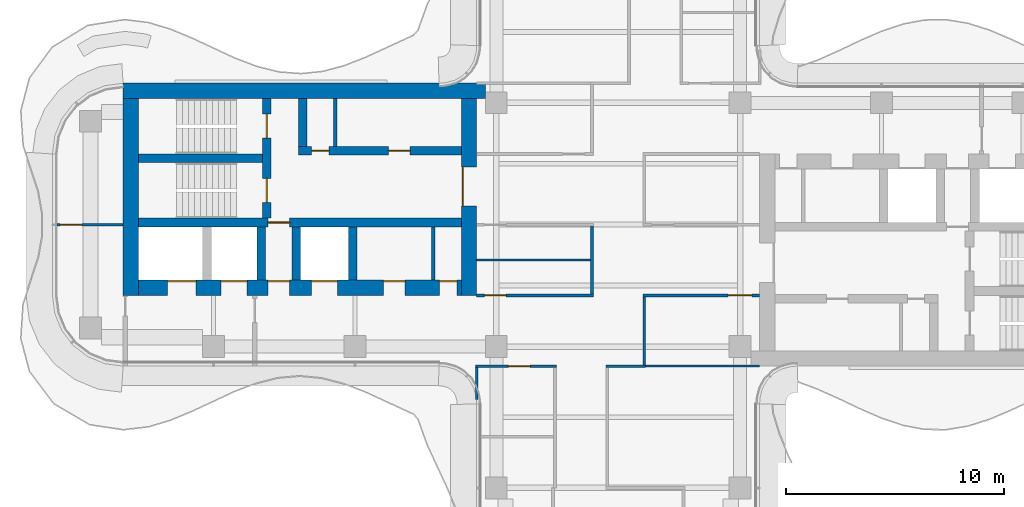
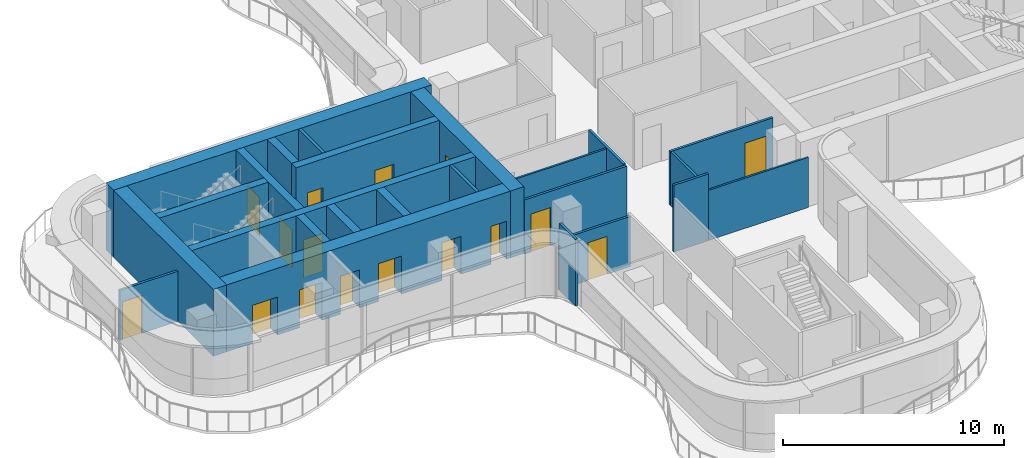
# One storey, part 11 of 15: 24 walls, 16 doors, 16 openings.
"""IFC4 building model written with IfcOpenShell, lengths in metres."""

from ifc_helpers import new_model, si_unit, direction, frame, frame_2d, origin, place, context, subcontext, project, spatial, rectangle, extrude, source, transform, mapped, material, layer, layer_set, type_object, element, fill, save


model = new_model("IFC4")

# Units and contexts
model_context = context("Model", 3, precision=1e-05, world=origin(), true_north=direction((0.0, 1.0)))
body_context = subcontext(model_context, "Body", "Model", "MODEL_VIEW")
ifc_project = project(units=[si_unit("LENGTHUNIT", "METRE"), si_unit("AREAUNIT", "SQUARE_METRE"), si_unit("VOLUMEUNIT", "CUBIC_METRE"), si_unit("PLANEANGLEUNIT", "RADIAN"), si_unit("MASSUNIT", "GRAM", prefix="KILO")], contexts=[model_context])

# Site, building, storey
site_placement = place(None, origin())
site = spatial("IfcSite", under=ifc_project, at=site_placement, CompositionType="ELEMENT")
building_placement = place(site_placement, origin())
building = spatial("IfcBuilding", under=site, at=building_placement, Name="Trellis Farm Tower", CompositionType="ELEMENT")
storey_placement = place(building_placement, frame((0.0, 0.0, 287.199951171875)))
storey = spatial("IfcBuildingStorey", under=building, at=storey_placement, Name="L64", CompositionType="ELEMENT", Elevation=287.199951171875)

# Wall, opening, door
ifc_material_1 = material(Name="Concrete C50/60", Category="concrete")
ifc_layer_1 = layer(ifc_material_1, 0.699951171875)
ifc_layer_set_1 = layer_set([ifc_layer_1], Name="CORE OUTER WALL 700 CONCRETE C50/60")
wall_type_1 = type_object("IfcWallType", Name="CORE OUTER WALL 700 CONCRETE C50/60", PredefinedType="SHEAR", material=ifc_layer_set_1)
shared_shape_1 = source(origin(), body_context, "Body", "SweptSolid", [
    extrude(rectangle(XDim=9.050048828125, YDim=0.699951171875, at=frame_2d((4.52490234375, 0.0))), origin(), (0.0, 0.0, 1.0), 3.699951171875),
])
wall_1_placement = place(storey_placement, frame((-6.85009765625, 5.800048828125, 0.0), z_axis=(0.0, 0.0, 1.0), x_axis=(0.0, -1.0, 0.0)))
wall_1 = element("IfcWall", 1, at=wall_1_placement, inside=storey, type_object=wall_type_1, Name="Core wall", PredefinedType="SHEAR", context=body_context, shape_type="MappedRepresentation", body=[
    mapped(shared_shape_1, transform((0.0, 0.0, 0.0))),
])
shared_shape_2 = source(origin(), body_context, "Body", "SweptSolid", [
    extrude(rectangle(XDim=1.800048828125, YDim=2.10009765625, at=frame_2d((0.89990234375, 1.050048828125))), frame((0.0, 0.360107421875, 0.0), z_axis=(0.0, -1.0, 0.0), x_axis=(1.0, 0.0, 0.0)), (0.0, 0.0, 1.0), 0.72021484375),
])
opening_1_placement = place(wall_1_placement, frame((3.14990234375, 0.0, 0.0)))
opening_1 = element("IfcOpeningElement", 2, at=opening_1_placement, cuts=wall_1, Name="Opening DC87", PredefinedType="OPENING", context=body_context, shape_type="MappedRepresentation", body=[
    mapped(shared_shape_2, transform((0.0, 0.0, 0.0))),
])
ifc_material_2 = material(Name="Steel", Category="steel")
door_type_1 = type_object("IfcDoorType", Name="CORE FIRE DOOR DOUBLE 1800 X 2100", OperationType="DOUBLE_DOOR_SINGLE_SWING", PredefinedType="DOOR", material=ifc_material_2)
shared_shape_3 = source(origin(), body_context, "Body", "SweptSolid", [
    extrude(rectangle(XDim=1.800048828125, YDim=2.10009765625, at=frame_2d((0.89990234375, 1.050048828125))), frame((0.0, -0.27490234375, 0.0), z_axis=(0.0, -1.0, 0.0), x_axis=(1.0, 0.0, 0.0)), (0.0, 0.0, 1.0), 0.050048828125),
])
door_1_placement = place(opening_1_placement, origin())
door_1 = element("IfcDoor", 3, at=door_1_placement, inside=storey, type_object=door_type_1, Name="Core door", OperationType="DOUBLE_DOOR_SINGLE_SWING", OverallHeight=2.10009765625, OverallWidth=1.800048828125, PredefinedType="DOOR", context=body_context, shape_type="MappedRepresentation", body=[
    mapped(shared_shape_3, transform((0.0, 0.0, 0.0))),
])
fill(opening_1, door_1)

# Walls
wall_2_placement = place(storey_placement, frame((-22.39990234375, 5.800048828125, 0.0), z_axis=(0.0, 0.0, 1.0), x_axis=(0.0, -1.0, 0.0)))
element("IfcWall", 4, at=wall_2_placement, inside=storey, type_object=wall_type_1, Name="Core wall", PredefinedType="SHEAR", context=body_context, shape_type="MappedRepresentation", body=[
    mapped(shared_shape_1, transform((0.0, 0.0, 0.0))),
])
ifc_layer_2 = layer(ifc_material_1, 0.39990234375)
ifc_layer_set_2 = layer_set([ifc_layer_2], Name="CORE INNER WALL 400 CONCRETE C50/60")
wall_type_2 = type_object("IfcWallType", Name="CORE INNER WALL 400 CONCRETE C50/60", PredefinedType="SHEAR", material=ifc_layer_set_2)
shared_shape_4 = source(origin(), body_context, "Body", "SweptSolid", [
    extrude(rectangle(XDim=2.449951171875, YDim=0.39990234375, at=frame_2d((1.22509765625, 0.0))), origin(), (0.0, 0.0, 1.0), 3.699951171875),
])
for number, where, z_axis, x_axis, name in (
    (5, (-12.199951171875, -0.10009765625, 0.0), (0.0, 0.0, 1.0), (0.0, -1.0, 0.0), "Core wall"),
    (6, (-14.800048828125, -0.10009765625, 0.0), (0.0, 0.0, 1.0), (0.0, -1.0, 0.0), "Core wall"),
    (7, (-16.39990234375, -0.10009765625, 0.0), (0.0, 0.0, 1.0), (0.0, -1.0, 0.0), "Core wall"),
):
    element("IfcWall", number, at=place(storey_placement, frame(where, z_axis=z_axis, x_axis=x_axis)), inside=storey, type_object=wall_type_2, Name=name, PredefinedType="SHEAR", context=body_context, shape_type="MappedRepresentation", body=[
        mapped(shared_shape_4, transform((0.0, 0.0, 0.0))),
    ])

# Wall, openings, doors
shared_shape_5 = source(origin(), body_context, "Body", "SweptSolid", [
    extrude(rectangle(XDim=14.85009765625, YDim=0.699951171875, at=frame_2d((7.425048828125, 0.0))), origin(), (0.0, 0.0, 1.0), 3.699951171875),
])
wall_3_placement = place(storey_placement, frame((-7.199951171875, -2.89990234375, 0.0), z_axis=(0.0, 0.0, 1.0), x_axis=(-1.0, 0.0, 0.0)))
wall_3 = element("IfcWall", 8, at=wall_3_placement, inside=storey, type_object=wall_type_1, Name="Core wall", PredefinedType="SHEAR", context=body_context, shape_type="MappedRepresentation", body=[
    mapped(shared_shape_5, transform((0.0, 0.0, 0.0))),
])
shared_shape_6 = source(origin(), body_context, "Body", "SweptSolid", [
    extrude(rectangle(XDim=1.199951171875, YDim=2.10009765625, at=frame_2d((0.60009765625, 1.050048828125))), frame((0.0, 0.360107421875, 0.0), z_axis=(0.0, -1.0, 0.0), x_axis=(1.0, 0.0, 0.0)), (0.0, 0.0, 1.0), 0.72021484375),
])
opening_2_placement = place(wall_3_placement, frame((5.699951171875, 0.0, 0.0)))
opening_2 = element("IfcOpeningElement", 9, at=opening_2_placement, cuts=wall_3, Name="Opening LD14", PredefinedType="OPENING", context=body_context, shape_type="MappedRepresentation", body=[
    mapped(shared_shape_6, transform((0.0, 0.0, 0.0))),
])
shared_shape_7 = source(origin(), body_context, "Body", "SweptSolid", [
    extrude(rectangle(XDim=1.300048828125, YDim=2.10009765625, at=frame_2d((0.64990234375, 1.050048828125))), frame((0.0, 0.360107421875, 0.0), z_axis=(0.0, -1.0, 0.0), x_axis=(1.0, 0.0, 0.0)), (0.0, 0.0, 1.0), 0.72021484375),
])
opening_3_placement = place(wall_3_placement, frame((12.199951171875, 0.0, 0.0)))
opening_3 = element("IfcOpeningElement", 10, at=opening_3_placement, cuts=wall_3, Name="Opening LD15", PredefinedType="OPENING", context=body_context, shape_type="MappedRepresentation", body=[
    mapped(shared_shape_7, transform((0.0, 0.0, 0.0))),
])
opening_4_placement = place(wall_3_placement, frame((9.85009765625, 0.0, 0.0)))
opening_4 = element("IfcOpeningElement", 11, at=opening_4_placement, cuts=wall_3, Name="Opening LD16", PredefinedType="OPENING", context=body_context, shape_type="MappedRepresentation", body=[
    mapped(shared_shape_6, transform((0.0, 0.0, 0.0))),
])
shared_shape_8 = source(origin(), body_context, "Body", "SweptSolid", [
    extrude(rectangle(XDim=1.0, YDim=2.10009765625, at=frame_2d((0.5, 1.050048828125))), frame((0.0, 0.360107421875, 0.0), z_axis=(0.0, -1.0, 0.0), x_axis=(1.0, 0.0, 0.0)), (0.0, 0.0, 1.0), 0.72021484375),
])
opening_5_placement = place(wall_3_placement, frame((7.89990234375, 0.0, 0.0)))
opening_5 = element("IfcOpeningElement", 12, at=opening_5_placement, cuts=wall_3, Name="Opening DC92", PredefinedType="OPENING", context=body_context, shape_type="MappedRepresentation", body=[
    mapped(shared_shape_8, transform((0.0, 0.0, 0.0))),
])
shared_shape_9 = source(origin(), body_context, "Body", "SweptSolid", [
    extrude(rectangle(XDim=0.800048828125, YDim=2.10009765625, at=frame_2d((0.39990234375, 1.050048828125))), frame((0.0, 0.360107421875, 0.0), z_axis=(0.0, -1.0, 0.0), x_axis=(1.0, 0.0, 0.0)), (0.0, 0.0, 1.0), 0.72021484375),
])
opening_6_placement = place(wall_3_placement, frame((0.21240234375, 0.0, 0.0)))
opening_6 = element("IfcOpeningElement", 13, at=opening_6_placement, cuts=wall_3, Name="Opening DC95", PredefinedType="OPENING", context=body_context, shape_type="MappedRepresentation", body=[
    mapped(shared_shape_9, transform((0.0, 0.0, 0.0))),
])
opening_7_placement = place(wall_3_placement, frame((2.58740234375, 0.0, 0.0)))
opening_7 = element("IfcOpeningElement", 14, at=opening_7_placement, cuts=wall_3, Name="Opening DC106", PredefinedType="OPENING", context=body_context, shape_type="MappedRepresentation", body=[
    mapped(shared_shape_8, transform((0.0, 0.0, 0.0))),
])
door_type_2 = type_object("IfcDoorType", Name="CORE FIRE DOOR 1000 X 2100", OperationType="NOTDEFINED", PredefinedType="DOOR", material=ifc_material_2)
shared_shape_10 = source(origin(), body_context, "Body", "SweptSolid", [
    extrude(rectangle(XDim=1.0, YDim=2.10009765625, at=frame_2d((0.5, 1.050048828125))), frame((0.0, -0.27490234375, 0.0), z_axis=(0.0, -1.0, 0.0), x_axis=(1.0, 0.0, 0.0)), (0.0, 0.0, 1.0), 0.050048828125),
])
door_2_placement = place(opening_5_placement, origin())
door_2 = element("IfcDoor", 15, at=door_2_placement, inside=storey, type_object=door_type_2, Name="Core door", OperationType="SINGLE_SWING_LEFT", OverallHeight=2.10009765625, OverallWidth=1.0, PredefinedType="DOOR", context=body_context, shape_type="MappedRepresentation", body=[
    mapped(shared_shape_10, transform((0.0, 0.0, 0.0))),
])
fill(opening_5, door_2)
door_3_placement = place(opening_7_placement, origin())
door_3 = element("IfcDoor", 16, at=door_3_placement, inside=storey, type_object=door_type_2, Name="Core door", OperationType="SINGLE_SWING_RIGHT", OverallHeight=2.10009765625, OverallWidth=1.0, PredefinedType="DOOR", context=body_context, shape_type="MappedRepresentation", body=[
    mapped(shared_shape_10, transform((0.0, 0.0, 0.0))),
])
fill(opening_7, door_3)
ifc_material_3 = material(Name="Stainless steel", Category="steel")
door_type_3 = type_object("IfcDoorType", Name="LIFT LANDING DOOR 1300 X 2100", OperationType="DOUBLE_DOOR_SLIDING", PredefinedType="DOOR", material=ifc_material_3)
shared_shape_11 = source(origin(), body_context, "Body", "SweptSolid", [
    extrude(rectangle(XDim=1.300048828125, YDim=2.10009765625, at=frame_2d((0.64990234375, 1.050048828125))), frame((0.0, -0.27490234375, 0.0), z_axis=(0.0, -1.0, 0.0), x_axis=(1.0, 0.0, 0.0)), (0.0, 0.0, 1.0), 0.050048828125),
])
door_4_placement = place(opening_3_placement, origin())
door_4 = element("IfcDoor", 17, at=door_4_placement, inside=storey, type_object=door_type_3, Name="Lift landing door", OperationType="DOUBLE_DOOR_SLIDING", OverallHeight=2.10009765625, OverallWidth=1.300048828125, PredefinedType="DOOR", context=body_context, shape_type="MappedRepresentation", body=[
    mapped(shared_shape_11, transform((0.0, 0.0, 0.0))),
])
fill(opening_3, door_4)
door_type_4 = type_object("IfcDoorType", Name="LIFT LANDING DOOR 1200 X 2100", OperationType="DOUBLE_DOOR_SLIDING", PredefinedType="DOOR", material=ifc_material_3)
shared_shape_12 = source(origin(), body_context, "Body", "SweptSolid", [
    extrude(rectangle(XDim=1.199951171875, YDim=2.10009765625, at=frame_2d((0.60009765625, 1.050048828125))), frame((0.0, -0.27490234375, 0.0), z_axis=(0.0, -1.0, 0.0), x_axis=(1.0, 0.0, 0.0)), (0.0, 0.0, 1.0), 0.050048828125),
])
door_5_placement = place(opening_2_placement, origin())
door_5 = element("IfcDoor", 18, at=door_5_placement, inside=storey, type_object=door_type_4, Name="Lift landing door", OperationType="DOUBLE_DOOR_SLIDING", OverallHeight=2.10009765625, OverallWidth=1.199951171875, PredefinedType="DOOR", context=body_context, shape_type="MappedRepresentation", body=[
    mapped(shared_shape_12, transform((0.0, 0.0, 0.0))),
])
fill(opening_2, door_5)
door_6_placement = place(opening_4_placement, origin())
door_6 = element("IfcDoor", 19, at=door_6_placement, inside=storey, type_object=door_type_4, Name="Lift landing door", OperationType="DOUBLE_DOOR_SLIDING", OverallHeight=2.10009765625, OverallWidth=1.199951171875, PredefinedType="DOOR", context=body_context, shape_type="MappedRepresentation", body=[
    mapped(shared_shape_12, transform((0.0, 0.0, 0.0))),
])
fill(opening_4, door_6)
door_type_5 = type_object("IfcDoorType", Name="CORE FIRE DOOR 800 X 2100", OperationType="NOTDEFINED", PredefinedType="DOOR", material=ifc_material_2)
shared_shape_13 = source(origin(), body_context, "Body", "SweptSolid", [
    extrude(rectangle(XDim=0.800048828125, YDim=2.10009765625, at=frame_2d((0.39990234375, 1.050048828125))), frame((0.0, -0.27490234375, 0.0), z_axis=(0.0, -1.0, 0.0), x_axis=(1.0, 0.0, 0.0)), (0.0, 0.0, 1.0), 0.050048828125),
])
door_7_placement = place(opening_6_placement, origin())
door_7 = element("IfcDoor", 20, at=door_7_placement, inside=storey, type_object=door_type_5, Name="Core door", OperationType="SINGLE_SWING_LEFT", OverallHeight=2.10009765625, OverallWidth=0.800048828125, PredefinedType="DOOR", context=body_context, shape_type="MappedRepresentation", body=[
    mapped(shared_shape_13, transform((0.0, 0.0, 0.0))),
])
fill(opening_6, door_7)

shared_shape_14 = source(origin(), body_context, "Body", "SweptSolid", [
    extrude(rectangle(XDim=7.5, YDim=0.39990234375, at=frame_2d((3.75, 0.0))), origin(), (0.0, 0.0, 1.0), 3.699951171875),
])
wall_4_placement = place(storey_placement, frame((-7.199951171875, 3.39990234375, 0.0), z_axis=(0.0, 0.0, 1.0), x_axis=(-1.0, 0.0, 0.0)))
wall_4 = element("IfcWall", 21, at=wall_4_placement, inside=storey, type_object=wall_type_2, Name="Core wall", PredefinedType="SHEAR", context=body_context, shape_type="MappedRepresentation", body=[
    mapped(shared_shape_14, transform((0.0, 0.0, 0.0))),
])
shared_shape_15 = source(origin(), body_context, "Body", "SweptSolid", [
    extrude(rectangle(XDim=1.0, YDim=2.10009765625, at=frame_2d((0.5, 1.050048828125))), frame((0.0, 0.2099609375, 0.0), z_axis=(0.0, -1.0, 0.0), x_axis=(1.0, 0.0, 0.0)), (0.0, 0.0, 1.0), 0.419921875),
])
opening_8_placement = place(wall_4_placement, frame((2.362548828125, 0.0, 0.0)))
opening_8 = element("IfcOpeningElement", 22, at=opening_8_placement, cuts=wall_4, Name="Opening DC141", PredefinedType="OPENING", context=body_context, shape_type="MappedRepresentation", body=[
    mapped(shared_shape_15, transform((0.0, 0.0, 0.0))),
])
shared_shape_16 = source(origin(), body_context, "Body", "SweptSolid", [
    extrude(rectangle(XDim=0.800048828125, YDim=2.10009765625, at=frame_2d((0.39990234375, 1.050048828125))), frame((0.0, 0.2099609375, 0.0), z_axis=(0.0, -1.0, 0.0), x_axis=(1.0, 0.0, 0.0)), (0.0, 0.0, 1.0), 0.419921875),
])
opening_9_placement = place(wall_4_placement, frame((6.08740234375, 0.0, 0.0)))
opening_9 = element("IfcOpeningElement", 23, at=opening_9_placement, cuts=wall_4, Name="Opening DC144", PredefinedType="OPENING", context=body_context, shape_type="MappedRepresentation", body=[
    mapped(shared_shape_16, transform((0.0, 0.0, 0.0))),
])
shared_shape_17 = source(origin(), body_context, "Body", "SweptSolid", [
    extrude(rectangle(XDim=1.0, YDim=2.10009765625, at=frame_2d((0.5, 1.050048828125))), frame((0.0, 0.02490234375, 0.0), z_axis=(0.0, -1.0, 0.0), x_axis=(1.0, 0.0, 0.0)), (0.0, 0.0, 1.0), 0.050048828125),
])
door_8_placement = place(opening_8_placement, origin())
door_8 = element("IfcDoor", 24, at=door_8_placement, inside=storey, type_object=door_type_2, Name="Core door", OperationType="SINGLE_SWING_LEFT", OverallHeight=2.10009765625, OverallWidth=1.0, PredefinedType="DOOR", context=body_context, shape_type="MappedRepresentation", body=[
    mapped(shared_shape_17, transform((0.0, 0.0, 0.0))),
])
fill(opening_8, door_8)
shared_shape_18 = source(origin(), body_context, "Body", "SweptSolid", [
    extrude(rectangle(XDim=0.800048828125, YDim=2.10009765625, at=frame_2d((0.39990234375, 1.050048828125))), frame((0.0, 0.02490234375, 0.0), z_axis=(0.0, -1.0, 0.0), x_axis=(1.0, 0.0, 0.0)), (0.0, 0.0, 1.0), 0.050048828125),
])
door_9_placement = place(opening_9_placement, origin())
door_9 = element("IfcDoor", 25, at=door_9_placement, inside=storey, type_object=door_type_5, Name="Core door", OperationType="SINGLE_SWING_RIGHT", OverallHeight=2.10009765625, OverallWidth=0.800048828125, PredefinedType="DOOR", context=body_context, shape_type="MappedRepresentation", body=[
    mapped(shared_shape_18, transform((0.0, 0.0, 0.0))),
])
fill(opening_9, door_9)

# Wall, opening, door
shared_shape_19 = source(origin(), body_context, "Body", "SweptSolid", [
    extrude(rectangle(XDim=14.85009765625, YDim=0.39990234375, at=frame_2d((7.425048828125, 0.0))), origin(), (0.0, 0.0, 1.0), 3.699951171875),
])
wall_5_placement = place(storey_placement, frame((-7.199951171875, 0.10009765625, 0.0), z_axis=(0.0, 0.0, 1.0), x_axis=(-1.0, 0.0, 0.0)))
wall_5 = element("IfcWall", 26, at=wall_5_placement, inside=storey, type_object=wall_type_2, Name="Core wall", PredefinedType="SHEAR", context=body_context, shape_type="MappedRepresentation", body=[
    mapped(shared_shape_19, transform((0.0, 0.0, 0.0))),
])
opening_10_placement = place(wall_5_placement, frame((7.89990234375, 0.0, 0.0)))
opening_10 = element("IfcOpeningElement", 27, at=opening_10_placement, cuts=wall_5, Name="Opening DC91", PredefinedType="OPENING", context=body_context, shape_type="MappedRepresentation", body=[
    mapped(shared_shape_15, transform((0.0, 0.0, 0.0))),
])
door_10_placement = place(opening_10_placement, origin())
door_10 = element("IfcDoor", 28, at=door_10_placement, inside=storey, type_object=door_type_2, Name="Core door", OperationType="SINGLE_SWING_RIGHT", OverallHeight=2.10009765625, OverallWidth=1.0, PredefinedType="DOOR", context=body_context, shape_type="MappedRepresentation", body=[
    mapped(shared_shape_17, transform((0.0, 0.0, 0.0))),
])
fill(opening_10, door_10)

# Wall, openings, doors
shared_shape_20 = source(origin(), body_context, "Body", "SweptSolid", [
    extrude(rectangle(XDim=5.5, YDim=0.39990234375, at=frame_2d((2.75, 0.0))), origin(), (0.0, 0.0, 1.0), 3.699951171875),
])
wall_6_placement = place(storey_placement, frame((-16.14990234375, 5.800048828125, 0.0), z_axis=(0.0, 0.0, 1.0), x_axis=(0.0, -1.0, 0.0)))
wall_6 = element("IfcWall", 29, at=wall_6_placement, inside=storey, type_object=wall_type_2, Name="Core wall", PredefinedType="SHEAR", context=body_context, shape_type="MappedRepresentation", body=[
    mapped(shared_shape_20, transform((0.0, 0.0, 0.0))),
])
shared_shape_21 = source(origin(), body_context, "Body", "SweptSolid", [
    extrude(rectangle(XDim=1.10009765625, YDim=2.10009765625, at=frame_2d((0.550048828125, 1.050048828125))), frame((0.0, 0.2099609375, 0.0), z_axis=(0.0, -1.0, 0.0), x_axis=(1.0, 0.0, 0.0)), (0.0, 0.0, 1.0), 0.419921875),
])
opening_11_placement = place(wall_6_placement, frame((0.72509765625, 0.0, 0.0)))
opening_11 = element("IfcOpeningElement", 30, at=opening_11_placement, cuts=wall_6, Name="Opening DC88", PredefinedType="OPENING", context=body_context, shape_type="MappedRepresentation", body=[
    mapped(shared_shape_21, transform((0.0, 0.0, 0.0))),
])
opening_12_placement = place(wall_6_placement, frame((3.675048828125, 0.0, 0.0)))
opening_12 = element("IfcOpeningElement", 31, at=opening_12_placement, cuts=wall_6, Name="Opening DC89", PredefinedType="OPENING", context=body_context, shape_type="MappedRepresentation", body=[
    mapped(shared_shape_21, transform((0.0, 0.0, 0.0))),
])
door_type_6 = type_object("IfcDoorType", Name="CORE FIRE DOOR 1100 X 2100", OperationType="NOTDEFINED", PredefinedType="DOOR", material=ifc_material_2)
shared_shape_22 = source(origin(), body_context, "Body", "SweptSolid", [
    extrude(rectangle(XDim=1.10009765625, YDim=2.10009765625, at=frame_2d((0.550048828125, 1.050048828125))), frame((0.0, 0.02490234375, 0.0), z_axis=(0.0, -1.0, 0.0), x_axis=(1.0, 0.0, 0.0)), (0.0, 0.0, 1.0), 0.050048828125),
])
door_11_placement = place(opening_11_placement, origin())
door_11 = element("IfcDoor", 32, at=door_11_placement, inside=storey, type_object=door_type_6, Name="Core door", OperationType="SINGLE_SWING_RIGHT", OverallHeight=2.10009765625, OverallWidth=1.10009765625, PredefinedType="DOOR", context=body_context, shape_type="MappedRepresentation", body=[
    mapped(shared_shape_22, transform((0.0, 0.0, 0.0))),
])
fill(opening_11, door_11)
door_12_placement = place(opening_12_placement, origin())
door_12 = element("IfcDoor", 33, at=door_12_placement, inside=storey, type_object=door_type_6, Name="Core door", OperationType="SINGLE_SWING_LEFT", OverallHeight=2.10009765625, OverallWidth=1.10009765625, PredefinedType="DOOR", context=body_context, shape_type="MappedRepresentation", body=[
    mapped(shared_shape_22, transform((0.0, 0.0, 0.0))),
])
fill(opening_12, door_12)

# Walls
shared_shape_23 = source(origin(), body_context, "Body", "SweptSolid", [
    extrude(rectangle(XDim=5.699951171875, YDim=0.39990234375, at=frame_2d((2.85009765625, 0.0))), origin(), (0.0, 0.0, 1.0), 3.699951171875),
])
wall_7_placement = place(storey_placement, frame((-16.35009765625, 3.050048828125, 0.0), z_axis=(0.0, 0.0, 1.0), x_axis=(-1.0, 0.0, 0.0)))
element("IfcWall", 34, at=wall_7_placement, inside=storey, type_object=wall_type_2, Name="Core wall", PredefinedType="SHEAR", context=body_context, shape_type="MappedRepresentation", body=[
    mapped(shared_shape_23, transform((0.0, 0.0, 0.0))),
])
shared_shape_24 = source(origin(), body_context, "Body", "SweptSolid", [
    extrude(rectangle(XDim=2.199951171875, YDim=0.39990234375, at=frame_2d((1.10009765625, 0.0))), origin(), (0.0, 0.0, 1.0), 3.699951171875),
])
wall_8_placement = place(storey_placement, frame((-14.5, 5.800048828125, 0.0), z_axis=(0.0, 0.0, 1.0), x_axis=(0.0, -1.0, 0.0)))
element("IfcWall", 35, at=wall_8_placement, inside=storey, type_object=wall_type_2, Name="Core wall", PredefinedType="SHEAR", context=body_context, shape_type="MappedRepresentation", body=[
    mapped(shared_shape_24, transform((0.0, 0.0, 0.0))),
])
ifc_material_4 = material(Name="Masonry blockwork", Category="masonry")
ifc_layer_3 = layer(ifc_material_4, 0.14990234375)
ifc_layer_set_3 = layer_set([ifc_layer_3], Name="CORE PARTITION 150 BLOCKWORK")
wall_type_3 = type_object("IfcWallType", Name="CORE PARTITION 150 BLOCKWORK", PredefinedType="PARTITIONING", material=ifc_layer_set_3)
shared_shape_25 = source(origin(), body_context, "Body", "SweptSolid", [
    extrude(rectangle(XDim=2.199951171875, YDim=0.14990234375, at=frame_2d((1.10009765625, 0.0))), origin(), (0.0, 0.0, 1.0), 3.699951171875),
])
wall_9_placement = place(storey_placement, frame((-13.0, 5.800048828125, 0.0), z_axis=(0.0, 0.0, 1.0), x_axis=(0.0, -1.0, 0.0)))
element("IfcWall", 36, at=wall_9_placement, inside=storey, type_object=wall_type_3, Name="Core room partition", PredefinedType="PARTITIONING", context=body_context, shape_type="MappedRepresentation", body=[
    mapped(shared_shape_25, transform((0.0, 0.0, 0.0))),
])
shared_shape_26 = source(origin(), body_context, "Body", "SweptSolid", [
    extrude(rectangle(XDim=16.64990234375, YDim=0.699951171875, at=frame_2d((8.324951171875, 0.0))), origin(), (0.0, 0.0, 1.0), 3.699951171875),
])
wall_10_placement = place(storey_placement, frame((-6.10009765625, 6.14990234375, 0.0), z_axis=(0.0, 0.0, 1.0), x_axis=(-1.0, 0.0, 0.0)))
element("IfcWall", 37, at=wall_10_placement, inside=storey, type_object=wall_type_1, Name="Core wall", PredefinedType="SHEAR", context=body_context, shape_type="MappedRepresentation", body=[
    mapped(shared_shape_26, transform((0.0, 0.0, 0.0))),
])
shared_shape_27 = source(origin(), body_context, "Body", "SweptSolid", [
    extrude(rectangle(XDim=2.449951171875, YDim=0.14990234375, at=frame_2d((1.22509765625, 0.0))), origin(), (0.0, 0.0, 1.0), 3.699951171875),
])
wall_11_placement = place(storey_placement, frame((-8.5, -0.10009765625, 0.0), z_axis=(0.0, 0.0, 1.0), x_axis=(0.0, -1.0, 0.0)))
element("IfcWall", 38, at=wall_11_placement, inside=storey, type_object=wall_type_3, Name="Core room partition", PredefinedType="PARTITIONING", context=body_context, shape_type="MappedRepresentation", body=[
    mapped(shared_shape_27, transform((0.0, 0.0, 0.0))),
])
ifc_material_5 = material(Name="Plasterboard on steel studs, mineral wool", Category="steel")
ifc_layer_4 = layer(ifc_material_5, 0.125)
ifc_layer_set_4 = layer_set([ifc_layer_4], Name="PARTITION 125 STUD EI 60")
wall_type_4 = type_object("IfcWallType", Name="PARTITION 125 STUD EI 60", PredefinedType="PARTITIONING", material=ifc_layer_set_4)
shared_shape_28 = source(origin(), body_context, "Body", "SweptSolid", [
    extrude(rectangle(XDim=3.137451171875, YDim=0.125, at=frame_2d((1.56884765625, 0.0))), origin(), (0.0, 0.0, 1.0), 2.99658203125),
])
wall_12_placement = place(storey_placement, frame((1.199951171875, -3.3125, 0.0), z_axis=(0.0, 0.0, 1.0), x_axis=(0.0, -1.0, 0.0)))
element("IfcWall", 39, at=wall_12_placement, inside=storey, type_object=wall_type_4, Name="Partition PW1", PredefinedType="PARTITIONING", context=body_context, shape_type="MappedRepresentation", body=[
    mapped(shared_shape_28, transform((0.0, 0.0, 0.0))),
])
shared_shape_29 = source(origin(), body_context, "Body", "SweptSolid", [
    extrude(rectangle(XDim=3.125, YDim=0.125, at=frame_2d((1.5625, 0.0))), origin(), (0.0, 0.0, 1.0), 3.06787109375),
])
wall_13_placement = place(storey_placement, frame((-1.199951171875, -0.0625, 0.0), z_axis=(0.0, 0.0, 1.0), x_axis=(0.0, -1.0, 0.0)))
element("IfcWall", 40, at=wall_13_placement, inside=storey, type_object=wall_type_4, Name="Partition PW1", PredefinedType="PARTITIONING", context=body_context, shape_type="MappedRepresentation", body=[
    mapped(shared_shape_29, transform((0.0, 0.0, 0.0))),
])
shared_shape_30 = source(origin(), body_context, "Body", "SweptSolid", [
    extrude(rectangle(XDim=1.468994140625, YDim=0.125, at=frame_2d((0.734375, 0.0))), origin(), (0.0, 0.0, 1.0), 3.699951171875),
])
wall_14_placement = place(storey_placement, frame((-6.5, -6.5625, 0.0), z_axis=(0.0, 0.0, 1.0), x_axis=(0.0, -1.0, 0.0)))
element("IfcWall", 41, at=wall_14_placement, inside=storey, type_object=wall_type_4, Name="Partition PW1", PredefinedType="PARTITIONING", context=body_context, shape_type="MappedRepresentation", body=[
    mapped(shared_shape_30, transform((0.0, 0.0, 0.0))),
])

# Wall, opening, door
shared_shape_31 = source(origin(), body_context, "Body", "SweptSolid", [
    extrude(rectangle(XDim=5.362548828125, YDim=0.125, at=frame_2d((2.68115234375, 0.0))), origin(), (0.0, 0.0, 1.0), 2.99658203125),
])
wall_15_placement = place(storey_placement, frame((-1.137451171875, -3.25, 0.0), z_axis=(0.0, 0.0, 1.0), x_axis=(-1.0, 0.0, 0.0)))
wall_15 = element("IfcWall", 42, at=wall_15_placement, inside=storey, type_object=wall_type_4, Name="Partition PW1", PredefinedType="PARTITIONING", context=body_context, shape_type="MappedRepresentation", body=[
    mapped(shared_shape_31, transform((0.0, 0.0, 0.0))),
])
shared_shape_32 = source(origin(), body_context, "Body", "SweptSolid", [
    extrude(rectangle(XDim=1.0, YDim=2.10009765625, at=frame_2d((0.5, 1.050048828125))), frame((0.0, 0.072509765625, 0.0), z_axis=(0.0, -1.0, 0.0), x_axis=(1.0, 0.0, 0.0)), (0.0, 0.0, 1.0), 0.14501953125),
])
opening_13_placement = place(wall_15_placement, frame((4.012451171875, 0.0, 0.0)))
opening_13 = element("IfcOpeningElement", 43, at=opening_13_placement, cuts=wall_15, Name="Opening D103", PredefinedType="OPENING", context=body_context, shape_type="MappedRepresentation", body=[
    mapped(shared_shape_32, transform((0.0, 0.0, 0.0))),
])
ifc_material_6 = material(Name="Fire-rated timber door leaf in a hollow metal frame", Category="wood")
door_type_7 = type_object("IfcDoorType", Name="DOOR 1000x2100 FD30S", OperationType="NOTDEFINED", PredefinedType="DOOR", material=ifc_material_6)
door_13_placement = place(opening_13_placement, origin())
door_13 = element("IfcDoor", 44, at=door_13_placement, inside=storey, type_object=door_type_7, Name="Door D103", OperationType="SINGLE_SWING_RIGHT", OverallHeight=2.10009765625, OverallWidth=1.0, PredefinedType="DOOR", context=body_context, shape_type="MappedRepresentation", body=[
    mapped(shared_shape_17, transform((0.0, 0.0, 0.0))),
])
fill(opening_13, door_13)

wall_16_placement = place(storey_placement, frame((6.5, -3.25, 0.0), z_axis=(0.0, 0.0, 1.0), x_axis=(-1.0, 0.0, 0.0)))
wall_16 = element("IfcWall", 45, at=wall_16_placement, inside=storey, type_object=wall_type_4, Name="Partition PW1", PredefinedType="PARTITIONING", context=body_context, shape_type="MappedRepresentation", body=[
    mapped(shared_shape_31, transform((0.0, 0.0, 0.0))),
])
shared_shape_33 = source(origin(), body_context, "Body", "SweptSolid", [
    extrude(rectangle(XDim=1.10009765625, YDim=2.10009765625, at=frame_2d((0.550048828125, 1.050048828125))), frame((0.0, 0.072509765625, 0.0), z_axis=(0.0, -1.0, 0.0), x_axis=(1.0, 0.0, 0.0)), (0.0, 0.0, 1.0), 0.14501953125),
])
opening_14_placement = place(wall_16_placement, frame((0.35009765625, 0.0, 0.0)))
opening_14 = element("IfcOpeningElement", 46, at=opening_14_placement, cuts=wall_16, Name="Opening D501", PredefinedType="OPENING", context=body_context, shape_type="MappedRepresentation", body=[
    mapped(shared_shape_33, transform((0.0, 0.0, 0.0))),
])
door_type_8 = type_object("IfcDoorType", Name="DOOR 1100x2100 FD30S", OperationType="NOTDEFINED", PredefinedType="DOOR", material=ifc_material_6)
door_14_placement = place(opening_14_placement, origin())
door_14 = element("IfcDoor", 47, at=door_14_placement, inside=storey, type_object=door_type_8, Name="Door D501", OperationType="SINGLE_SWING_LEFT", OverallHeight=2.10009765625, OverallWidth=1.10009765625, PredefinedType="DOOR", context=body_context, shape_type="MappedRepresentation", body=[
    mapped(shared_shape_22, transform((0.0, 0.0, 0.0))),
])
fill(opening_14, door_14)

# Walls
ifc_material_7 = material(Name="Plasterboard on steel studs", Category="steel")
ifc_layer_5 = layer(ifc_material_7, 0.10009765625)
ifc_layer_set_5 = layer_set([ifc_layer_5], Name="PARTITION 100 STUD EI 30")
wall_type_5 = type_object("IfcWallType", Name="PARTITION 100 STUD EI 30", PredefinedType="PARTITIONING", material=ifc_layer_set_5)
shared_shape_34 = source(origin(), body_context, "Body", "SweptSolid", [
    extrude(rectangle(XDim=5.362548828125, YDim=0.10009765625, at=frame_2d((2.68115234375, 0.0))), origin(), (0.0, 0.0, 1.0), 2.780029296875),
])
wall_17_placement = place(storey_placement, frame((1.137451171875, -6.5, 0.0), z_axis=(0.0, 0.0, 1.0), x_axis=(1.0, 0.0, 0.0)))
element("IfcWall", 48, at=wall_17_placement, inside=storey, type_object=wall_type_5, Name="Partition PW2", PredefinedType="PARTITIONING", context=body_context, shape_type="MappedRepresentation", body=[
    mapped(shared_shape_34, transform((0.0, 0.0, 0.0))),
])
shared_shape_35 = source(origin(), body_context, "Body", "SweptSolid", [
    extrude(rectangle(XDim=1.824951171875, YDim=0.125, at=frame_2d((0.91259765625, 0.0))), origin(), (0.0, 0.0, 1.0), 3.699951171875),
])
wall_18_placement = place(storey_placement, frame((1.262451171875, -6.5, 0.0), z_axis=(0.0, 0.0, 1.0), x_axis=(-1.0, 0.0, 0.0)))
element("IfcWall", 49, at=wall_18_placement, inside=storey, type_object=wall_type_4, Name="Partition PW1", PredefinedType="PARTITIONING", context=body_context, shape_type="MappedRepresentation", body=[
    mapped(shared_shape_35, transform((0.0, 0.0, 0.0))),
])

# Wall, opening, door
shared_shape_36 = source(origin(), body_context, "Body", "SweptSolid", [
    extrude(rectangle(XDim=3.72509765625, YDim=0.125, at=frame_2d((1.862548828125, 0.0))), origin(), (0.0, 0.0, 1.0), 2.780029296875),
])
wall_19_placement = place(storey_placement, frame((-2.83740234375, -6.5, 0.0), z_axis=(0.0, 0.0, 1.0), x_axis=(-1.0, 0.0, 0.0)))
wall_19 = element("IfcWall", 50, at=wall_19_placement, inside=storey, type_object=wall_type_4, Name="Partition PW1", PredefinedType="PARTITIONING", context=body_context, shape_type="MappedRepresentation", body=[
    mapped(shared_shape_36, transform((0.0, 0.0, 0.0))),
])
opening_15_placement = place(wall_19_placement, frame((1.21240234375, 0.0, 0.0)))
opening_15 = element("IfcOpeningElement", 51, at=opening_15_placement, cuts=wall_19, Name="Opening D102", PredefinedType="OPENING", context=body_context, shape_type="MappedRepresentation", body=[
    mapped(shared_shape_32, transform((0.0, 0.0, 0.0))),
])
door_15_placement = place(opening_15_placement, origin())
door_15 = element("IfcDoor", 52, at=door_15_placement, inside=storey, type_object=door_type_7, Name="Door D102", OperationType="SINGLE_SWING_RIGHT", OverallHeight=2.10009765625, OverallWidth=1.0, PredefinedType="DOOR", context=body_context, shape_type="MappedRepresentation", body=[
    mapped(shared_shape_17, transform((0.0, 0.0, 0.0))),
])
fill(opening_15, door_15)

# Wall
shared_shape_37 = source(origin(), body_context, "Body", "SweptSolid", [
    extrude(rectangle(XDim=5.237548828125, YDim=0.10009765625, at=frame_2d((2.61865234375, 0.0))), origin(), (0.0, 0.0, 1.0), 2.99658203125),
])
wall_20_placement = place(storey_placement, frame((-6.5, -1.625, 0.0), z_axis=(0.0, 0.0, 1.0), x_axis=(1.0, 0.0, 0.0)))
element("IfcWall", 53, at=wall_20_placement, inside=storey, type_object=wall_type_5, Name="Partition PW2", PredefinedType="PARTITIONING", context=body_context, shape_type="MappedRepresentation", body=[
    mapped(shared_shape_37, transform((0.0, 0.0, 0.0))),
])

# Wall, opening, door
shared_shape_38 = source(origin(), body_context, "Body", "SweptSolid", [
    extrude(rectangle(XDim=3.050048828125, YDim=0.125, at=frame_2d((1.52490234375, 0.0))), origin(), (0.0, 0.0, 1.0), 2.780029296875),
])
wall_21_placement = place(storey_placement, frame((-25.800048828125, 0.0, 0.0), z_axis=(0.0, 0.0, 1.0), x_axis=(1.0, 0.0, 0.0)))
wall_21 = element("IfcWall", 54, at=wall_21_placement, inside=storey, type_object=wall_type_4, Name="Partition PW1", PredefinedType="PARTITIONING", context=body_context, shape_type="MappedRepresentation", body=[
    mapped(shared_shape_38, transform((0.0, 0.0, 0.0))),
])
opening_16_placement = place(wall_21_placement, frame((0.14990234375, 0.0, 0.0)))
opening_16 = element("IfcOpeningElement", 55, at=opening_16_placement, cuts=wall_21, Name="Opening D104", PredefinedType="OPENING", context=body_context, shape_type="MappedRepresentation", body=[
    mapped(shared_shape_32, transform((0.0, 0.0, 0.0))),
])
door_16_placement = place(opening_16_placement, origin())
door_16 = element("IfcDoor", 56, at=door_16_placement, inside=storey, type_object=door_type_7, Name="Door D104", OperationType="SINGLE_SWING_LEFT", OverallHeight=2.10009765625, OverallWidth=1.0, PredefinedType="DOOR", context=body_context, shape_type="MappedRepresentation", body=[
    mapped(shared_shape_17, transform((0.0, 0.0, 0.0))),
])
fill(opening_16, door_16)

save(model, "model.ifc")
